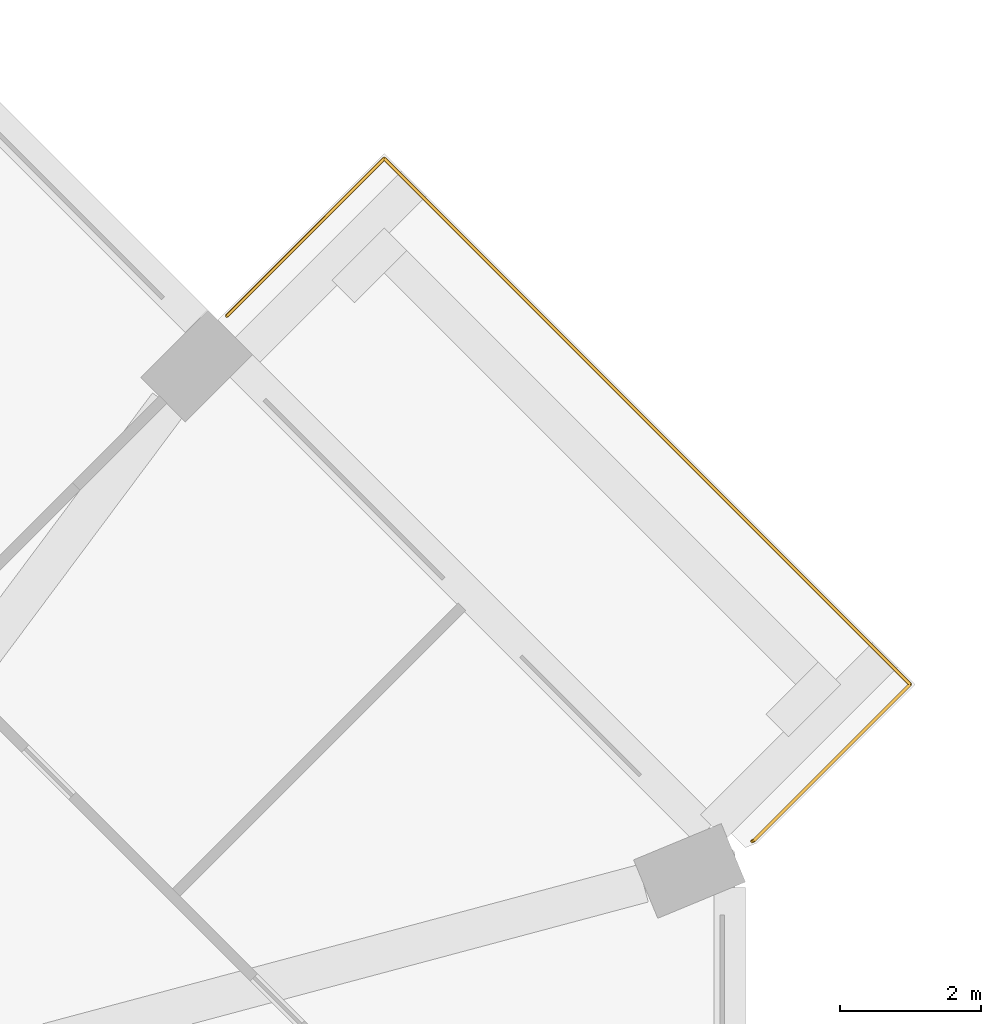
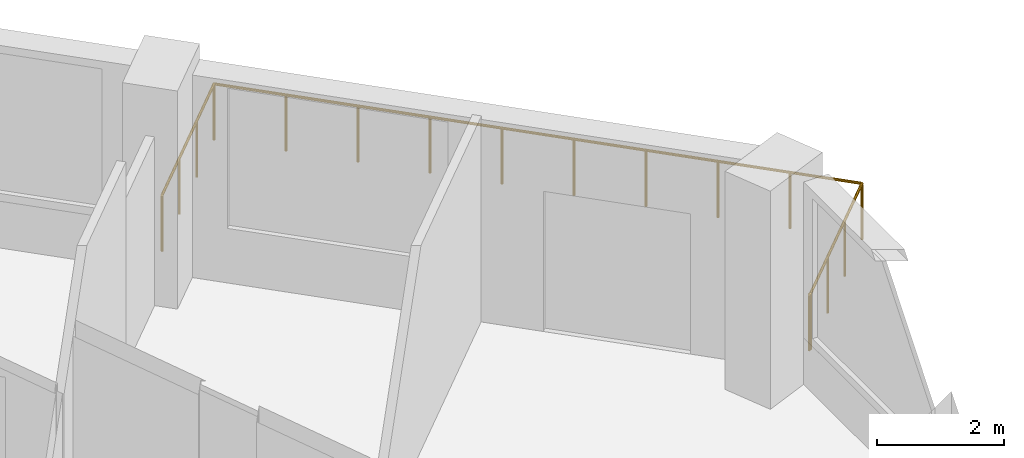
# One storey, part 13 of 13: 1 railing.
"""IFC4 building model written with IfcOpenShell, lengths in metres."""

from ifc_helpers import new_model, si_unit, direction, frame, origin, origin_2d, place, context, subcontext, project, spatial, circle, extrude, material, constituent, constituent_set, type_object, element, save


model = new_model("IFC4")

# Units and contexts
model_context = context("Model", 3, precision=1e-05, world=origin(), true_north=direction((0.0, 1.0)))
body_context = subcontext(model_context, "Body", "Model", "MODEL_VIEW")
ifc_project = project(units=[si_unit("LENGTHUNIT", "METRE"), si_unit("AREAUNIT", "SQUARE_METRE"), si_unit("VOLUMEUNIT", "CUBIC_METRE"), si_unit("PLANEANGLEUNIT", "RADIAN"), si_unit("MASSUNIT", "GRAM", prefix="KILO")], contexts=[model_context])

# Site, building, storey
site_placement = place(None, origin())
site = spatial("IfcSite", under=ifc_project, at=site_placement, CompositionType="ELEMENT")
building_placement = place(site_placement, origin())
building = spatial("IfcBuilding", under=site, at=building_placement, Name="Msitu Wima Residences", CompositionType="ELEMENT")
storey_placement = place(building_placement, frame((0.0, 0.0, 80.10009765625)))
storey = spatial("IfcBuildingStorey", under=building, at=storey_placement, Name="L18", CompositionType="ELEMENT", Elevation=80.10009765625)

# Railing
ifc_material_1 = material(Name="Steel S355", Category="steel")
ifc_constituent_1 = constituent(ifc_material_1, Name="Steel S355")
ifc_material_2 = material(Name="Weathering patina")
ifc_constituent_2 = constituent(ifc_material_2, Name="Weathering patina")
ifc_constituent_set = constituent_set(constituents=[ifc_constituent_1, ifc_constituent_2], Name="Steel S355")
railing_type = type_object("IfcRailingType", Name="Balcony guard GR1100", PredefinedType="GUARDRAIL", material=ifc_constituent_set)
railing_placement = place(storey_placement, frame((21.86865234375, 22.151611328125, 0.0)))
element("IfcRailing", 1, at=railing_placement, inside=storey, type_object=railing_type, Name="Balcony guard NE0 L18", PredefinedType="GUARDRAIL", context=body_context, shape_type="SweptSolid", body=[
    extrude(circle(Radius=0.02392578125, at=origin_2d()), frame((0.0, 0.0, 1.076171875), z_axis=(0.707145287287, 0.707068272989, 0.0), x_axis=(-0.707068272989, 0.707145287287, 0.0)), (0.0, 0.0, 1.0), 3.170166015625),
    extrude(circle(Radius=0.02392578125, at=origin_2d()), frame((2.24169921875, 2.241455078125, 1.076171875), z_axis=(0.70709524572, -0.707118316465, 0.0), x_axis=(0.707118316465, 0.70709524572, 0.0)), (0.0, 0.0, 1.0), 10.582275390625),
    extrude(circle(Radius=0.02392578125, at=origin_2d()), frame((9.724365234375, -5.241455078125, 1.076171875), z_axis=(-0.707106781187, -0.707106781187, 0.0), x_axis=(0.707106781187, -0.707106781187, 0.0)), (0.0, 0.0, 1.0), 3.136474609375),
    extrude(circle(Radius=0.02392578125, at=origin_2d()), frame((7.506591796875, -7.459228515625, 1.076171875), z_axis=(-0.923276184907, -0.384136806859, 0.0), x_axis=(0.384136806859, -0.923276184907, 0.0)), (0.0, 0.0, 1.0), 0.0361328125),
    extrude(circle(Radius=0.02099609375, at=origin_2d()), origin(), (0.0, 0.0, 1.0), 1.052001953125),
    extrude(circle(Radius=0.02099609375, at=origin_2d()), frame((0.747314453125, 0.7470703125, 0.0)), (0.0, 0.0, 1.0), 1.052001953125),
    extrude(circle(Radius=0.02099609375, at=origin_2d()), frame((1.494384765625, 1.494384765625, 0.0)), (0.0, 0.0, 1.0), 1.052001953125),
    extrude(circle(Radius=0.02099609375, at=origin_2d()), frame((2.24169921875, 2.241455078125, 0.0)), (0.0, 0.0, 1.0), 1.052001953125),
    extrude(circle(Radius=0.02099609375, at=origin_2d()), frame((3.072998046875, 1.409912109375, 0.0)), (0.0, 0.0, 1.0), 1.052001953125),
    extrude(circle(Radius=0.02099609375, at=origin_2d()), frame((3.904541015625, 0.57861328125, 0.0)), (0.0, 0.0, 1.0), 1.052001953125),
    extrude(circle(Radius=0.02099609375, at=origin_2d()), frame((4.73583984375, -0.2529296875, 0.0)), (0.0, 0.0, 1.0), 1.052001953125),
    extrude(circle(Radius=0.02099609375, at=origin_2d()), frame((5.5673828125, -1.084228515625, 0.0)), (0.0, 0.0, 1.0), 1.052001953125),
    extrude(circle(Radius=0.02099609375, at=origin_2d()), frame((6.398681640625, -1.915771484375, 0.0)), (0.0, 0.0, 1.0), 1.052001953125),
    extrude(circle(Radius=0.02099609375, at=origin_2d()), frame((7.230224609375, -2.7470703125, 0.0)), (0.0, 0.0, 1.0), 1.052001953125),
    extrude(circle(Radius=0.02099609375, at=origin_2d()), frame((8.0615234375, -3.57861328125, 0.0)), (0.0, 0.0, 1.0), 1.052001953125),
    extrude(circle(Radius=0.02099609375, at=origin_2d()), frame((8.89306640625, -4.409912109375, 0.0)), (0.0, 0.0, 1.0), 1.052001953125),
    extrude(circle(Radius=0.02099609375, at=origin_2d()), frame((9.724365234375, -5.241455078125, 0.0)), (0.0, 0.0, 1.0), 1.052001953125),
    extrude(circle(Radius=0.02099609375, at=origin_2d()), frame((8.985107421875, -5.980712890625, 0.0)), (0.0, 0.0, 1.0), 1.052001953125),
    extrude(circle(Radius=0.02099609375, at=origin_2d()), frame((8.245849609375, -6.719970703125, 0.0)), (0.0, 0.0, 1.0), 1.052001953125),
    extrude(circle(Radius=0.02099609375, at=origin_2d()), frame((7.506591796875, -7.459228515625, 0.0)), (0.0, 0.0, 1.0), 1.052001953125),
    extrude(circle(Radius=0.02099609375, at=origin_2d()), frame((7.47314453125, -7.47314453125, 0.0)), (0.0, 0.0, 1.0), 1.052001953125),
])

save(model, "model.ifc")
